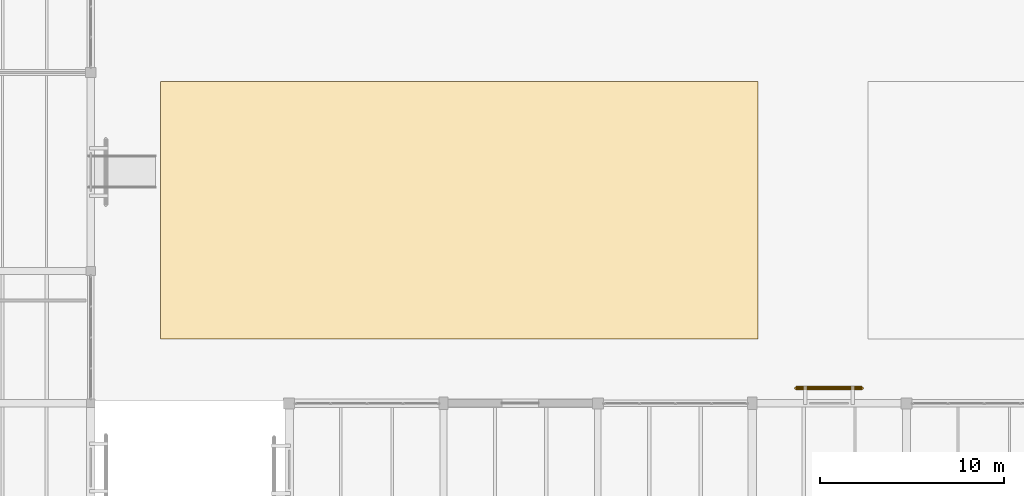
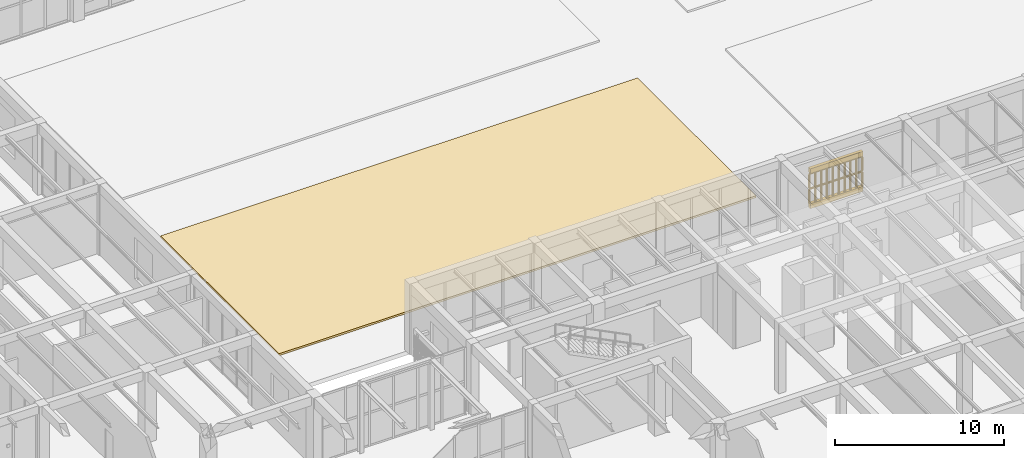
# One storey, part 151 of 169: 3 coverings, 2 railings.
"""IFC4 building model written with IfcOpenShell, lengths in metres."""

from ifc_helpers import new_model, si_unit, direction, frame, origin, origin_2d, place, context, subcontext, project, spatial, polyline, circle, outline, extrude, material, layer, layer_set, type_object, element, save


model = new_model("IFC4")

# Units and contexts
model_context = context("Model", 3, precision=1e-05, world=origin(), true_north=direction((0.0, 1.0)))
body_context = subcontext(model_context, "Body", "Model", "MODEL_VIEW")
ifc_project = project(units=[si_unit("LENGTHUNIT", "METRE"), si_unit("AREAUNIT", "SQUARE_METRE"), si_unit("VOLUMEUNIT", "CUBIC_METRE"), si_unit("PLANEANGLEUNIT", "RADIAN"), si_unit("MASSUNIT", "GRAM", prefix="KILO")], contexts=[model_context])

# Site, building, storey
site_placement = place(None, origin())
site = spatial("IfcSite", under=ifc_project, at=site_placement, CompositionType="ELEMENT")
building_placement = place(site_placement, origin())
building = spatial("IfcBuilding", under=site, at=building_placement, Name="Mazaris Harbour Polytechnic", CompositionType="ELEMENT")
storey_placement = place(building_placement, origin())
storey = spatial("IfcBuildingStorey", under=building, at=storey_placement, Name="L00", CompositionType="ELEMENT", Elevation=0.0)

# Railings
ifc_material_1 = material(Name="Perforated Earth-Coloured Terracotta Block", Category="masonry")
railing_type = type_object("IfcRailingType", Name="Perforated Earth-Block Claustra Lattice 1040", PredefinedType="BALUSTRADE", material=ifc_material_1)
for number, where, name in (
    (1, (81.574951171875, 36.820068359375, 0.52001953125), "V3 L00 Lower Perforated Terracotta Block Screen 107"),
    (2, (81.574951171875, 36.820068359375, 1.610107421875), "V3 L00 Upper Perforated Terracotta Block Screen 107"),
):
    element("IfcRailing", number, at=place(storey_placement, frame(where)), inside=storey, type_object=railing_type, Name=name, PredefinedType="BALUSTRADE", context=body_context, shape_type="SweptSolid", body=[
        extrude(circle(Radius=0.06982421875, at=origin_2d()), frame((0.0, 0.0, 1.02001953125), z_axis=(1.0, 0.0, 0.0), x_axis=(0.0, 1.0, 0.0)), (0.0, 0.0, 1.0), 3.60009765625),
        extrude(circle(Radius=0.074951171875, at=origin_2d()), origin(), (0.0, 0.0, 1.0), 0.9501953125),
        extrude(circle(Radius=0.074951171875, at=origin_2d()), frame((0.39990234375, 0.0, 0.0)), (0.0, 0.0, 1.0), 0.9501953125),
        extrude(circle(Radius=0.074951171875, at=origin_2d()), frame((0.800048828125, 0.0, 0.0)), (0.0, 0.0, 1.0), 0.9501953125),
        extrude(circle(Radius=0.074951171875, at=origin_2d()), frame((1.199951171875, 0.0, 0.0)), (0.0, 0.0, 1.0), 0.9501953125),
        extrude(circle(Radius=0.074951171875, at=origin_2d()), frame((1.60009765625, 0.0, 0.0)), (0.0, 0.0, 1.0), 0.9501953125),
        extrude(circle(Radius=0.074951171875, at=origin_2d()), frame((2.0, 0.0, 0.0)), (0.0, 0.0, 1.0), 0.9501953125),
        extrude(circle(Radius=0.074951171875, at=origin_2d()), frame((2.400146484375, 0.0, 0.0)), (0.0, 0.0, 1.0), 0.9501953125),
        extrude(circle(Radius=0.074951171875, at=origin_2d()), frame((2.800048828125, 0.0, 0.0)), (0.0, 0.0, 1.0), 0.9501953125),
        extrude(circle(Radius=0.074951171875, at=origin_2d()), frame((3.2001953125, 0.0, 0.0)), (0.0, 0.0, 1.0), 0.9501953125),
        extrude(circle(Radius=0.074951171875, at=origin_2d()), frame((3.60009765625, 0.0, 0.0)), (0.0, 0.0, 1.0), 0.9501953125),
    ])

# Coverings
ifc_material_2 = material(Name="Patinated Standing-Seam Zinc")
ifc_layer_1 = layer(ifc_material_2, 0.044921875, Name="Patinated Standing-Seam Zinc")
ifc_layer_set_1 = layer_set([ifc_layer_1], Name="Patinated Standing-Seam Zinc")
covering_type_1 = type_object("IfcCoveringType", Name="Standing-Seam Zinc Roof Covering 45", PredefinedType="ROOFING", material=ifc_layer_set_1)
covering_1_placement = place(storey_placement, origin())
element("IfcCovering", 3, at=covering_1_placement, inside=storey, type_object=covering_type_1, Name="Covering COV-CRT-01", PredefinedType="ROOFING", context=body_context, shape_type="SweptSolid", body=[
    extrude(outline(polyline([(47.0, 39.5), (79.5, 39.5), (79.5, 53.5), (47.0, 53.5), (47.0, 39.5)])), origin(), (0.0, 0.0, 1.0), 0.139892578125),
])
ifc_material_3 = material(Name="Perforated Earth-Coloured Terracotta Block", Category="masonry")
ifc_layer_2 = layer(ifc_material_3, 0.219970703125, Name="Perforated Earth-Coloured Terracotta Block")
ifc_layer_set_2 = layer_set([ifc_layer_2], Name="Perforated Earth-Coloured Terracotta Block")
covering_type_2 = type_object("IfcCoveringType", Name="Terracotta Screen Course Cladding 220", PredefinedType="CLADDING", material=ifc_layer_set_2)
covering_2_placement = place(storey_placement, frame((0.0, 0.0, 0.159912109375)))
element("IfcCovering", 4, at=covering_2_placement, inside=storey, type_object=covering_type_2, Name="V3 L00 Perforated Screen Sill Course 107", PredefinedType="CLADDING", context=body_context, shape_type="SweptSolid", body=[
    extrude(outline(polyline([(81.574951171875, 36.7099609375), (85.175048828125, 36.7099609375), (85.175048828125, 36.929931640625), (81.574951171875, 36.929931640625), (81.574951171875, 36.7099609375)])), origin(), (0.0, 0.0, 1.0), 0.360107421875),
])
covering_3_placement = place(storey_placement, frame((0.0, 0.0, 2.699951171875)))
element("IfcCovering", 5, at=covering_3_placement, inside=storey, type_object=covering_type_2, Name="V3 L00 Perforated Screen Lintel Course 107", PredefinedType="CLADDING", context=body_context, shape_type="SweptSolid", body=[
    extrude(outline(polyline([(81.574951171875, 36.7099609375), (85.175048828125, 36.7099609375), (85.175048828125, 36.929931640625), (81.574951171875, 36.929931640625), (81.574951171875, 36.7099609375)])), origin(), (0.0, 0.0, 1.0), 0.340087890625),
])

save(model, "model.ifc")
